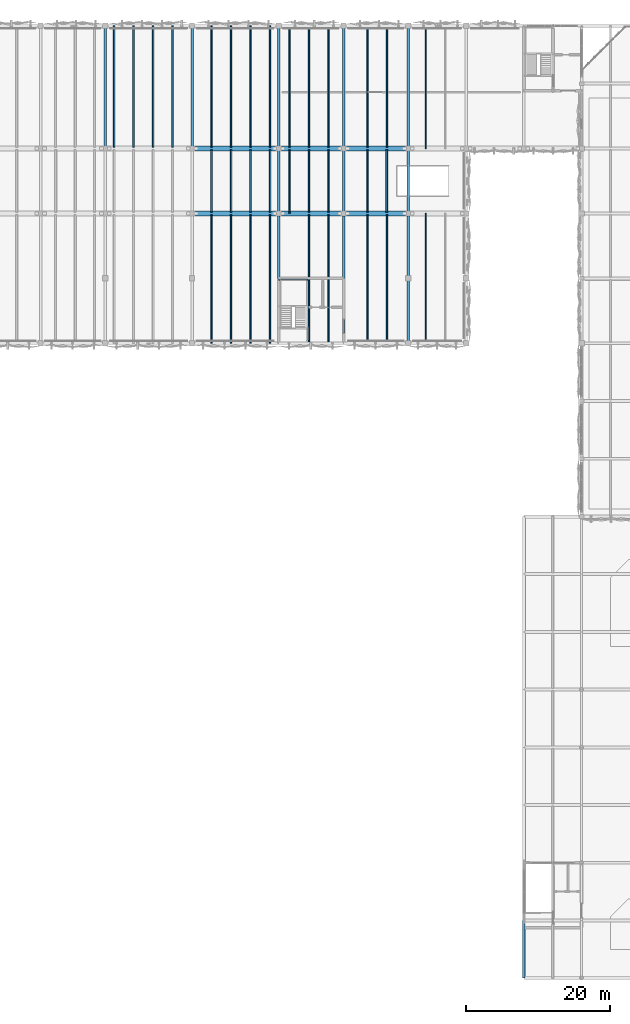
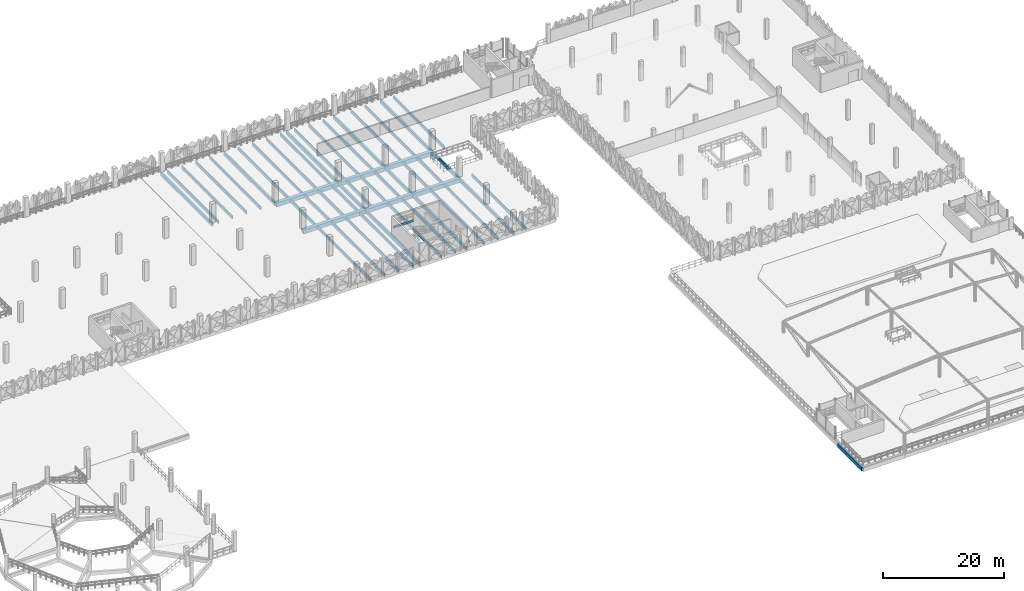
# One storey, part 15 of 76: 51 beams.
"""IFC4 building model written with IfcOpenShell, lengths in metres."""

from ifc_helpers import new_model, si_unit, derived_unit, direction, frame, origin, origin_2d, place, context, subcontext, project, spatial, rectangle, i_section, extrude, material, material_profile, profile_set, type_object, element, save


model = new_model("IFC4")

# Units and contexts
model_context = context("Model", 3, precision=1e-05, world=origin(), true_north=direction((0.0, 1.0)))
body_context = subcontext(model_context, "Body", "Model", "MODEL_VIEW")
ifc_project = project(units=[si_unit("LENGTHUNIT", "METRE"), si_unit("AREAUNIT", "SQUARE_METRE"), si_unit("VOLUMEUNIT", "CUBIC_METRE"), si_unit("PLANEANGLEUNIT", "RADIAN"), si_unit("MASSUNIT", "GRAM", prefix="KILO"), si_unit("THERMODYNAMICTEMPERATUREUNIT", "KELVIN"), derived_unit("THERMALTRANSMITTANCEUNIT", [(si_unit("POWERUNIT", "WATT"), 1), (si_unit("AREAUNIT", "SQUARE_METRE"), -1), (si_unit("THERMODYNAMICTEMPERATUREUNIT", "KELVIN"), -1)])], contexts=[model_context])

# Site, building, storey
site_placement = place(None, origin())
site = spatial("IfcSite", under=ifc_project, at=site_placement, CompositionType="ELEMENT")
building_placement = place(site_placement, origin())
building = spatial("IfcBuilding", under=site, at=building_placement, Name="Haiyu Intermodal Mobility Hub", CompositionType="ELEMENT")
storey_placement = place(building_placement, frame((0.0, 0.0, 17.300048828125)))
storey = spatial("IfcBuildingStorey", under=building, at=storey_placement, Name="L04", CompositionType="ELEMENT", Elevation=17.300048828125)

# Beams
ifc_material_1 = material(Name="Concrete C40", Category="concrete")
ifc_material_profile_1 = material_profile(ifc_material_1, rectangle(XDim=0.35009765625, YDim=0.64990234375, at=origin_2d()), Name="RCB350x650")
ifc_profile_set_1 = profile_set([ifc_material_profile_1], Name="Concrete C40")
beam_type_1 = type_object("IfcBeamType", Name="BM-CB04", PredefinedType="BEAM", material=ifc_profile_set_1)
for number, where, z_axis, x_axis, name in (
    (1, (96.0, 131.0, -0.60009765625), (0.0, 1.0, 0.0), (-1.0, 0.0, 0.0), "BM-V4E-L04-026"),
    (2, (108.0, 131.0, -0.60009765625), (0.0, 1.0, 0.0), (-1.0, 0.0, 0.0), "BM-V4E-L04-029"),
):
    element("IfcBeam", number, at=place(storey_placement, frame(where, z_axis=z_axis, x_axis=x_axis)), inside=storey, type_object=beam_type_1, Name=name, PredefinedType="BEAM", context=body_context, shape_type="SweptSolid", body=[
        extrude(rectangle(XDim=0.35009765625, YDim=0.64990234375, at=origin_2d()), origin(), (0.0, 0.0, 1.0), 17.0),
    ])
beam_1_placement = place(storey_placement, frame((120.0, 104.0, -0.60009765625), z_axis=(0.0, 1.0, 0.0), x_axis=(-1.0, 0.0, 0.0)))
element("IfcBeam", 3, at=beam_1_placement, inside=storey, type_object=beam_type_1, Name="BM-V4E-L04-030", PredefinedType="BEAM", context=body_context, shape_type="SweptSolid", body=[
    extrude(rectangle(XDim=0.35009765625, YDim=0.64990234375, at=origin_2d()), origin(), (0.0, 0.0, 1.0), 18.0),
])
beam_2_placement = place(storey_placement, frame((120.0, 122.0, -0.60009765625), z_axis=(0.0, 1.0, 0.0), x_axis=(-1.0, 0.0, 0.0)))
element("IfcBeam", 4, at=beam_2_placement, inside=storey, type_object=beam_type_1, Name="BM-V4E-L04-031", PredefinedType="BEAM", context=body_context, shape_type="SweptSolid", body=[
    extrude(rectangle(XDim=0.35009765625, YDim=0.64990234375, at=origin_2d()), origin(), (0.0, 0.0, 1.0), 9.0),
])
beam_3_placement = place(storey_placement, frame((120.0, 131.0, -0.60009765625), z_axis=(0.0, 1.0, 0.0), x_axis=(-1.0, 0.0, 0.0)))
element("IfcBeam", 5, at=beam_3_placement, inside=storey, type_object=beam_type_1, Name="BM-V4E-L04-032", PredefinedType="BEAM", context=body_context, shape_type="SweptSolid", body=[
    extrude(rectangle(XDim=0.35009765625, YDim=0.64990234375, at=origin_2d()), origin(), (0.0, 0.0, 1.0), 17.0),
])
beam_4_placement = place(storey_placement, frame((129.0, 104.0, -0.60009765625), z_axis=(0.0, 1.0, 0.0), x_axis=(-1.0, 0.0, 0.0)))
element("IfcBeam", 6, at=beam_4_placement, inside=storey, type_object=beam_type_1, Name="BM-V4E-L04-033", PredefinedType="BEAM", context=body_context, shape_type="SweptSolid", body=[
    extrude(rectangle(XDim=0.35009765625, YDim=0.64990234375, at=origin_2d()), origin(), (0.0, 0.0, 1.0), 18.0),
])
beam_5_placement = place(storey_placement, frame((129.0, 122.0, -0.60009765625), z_axis=(0.0, 1.0, 0.0), x_axis=(-1.0, 0.0, 0.0)))
element("IfcBeam", 7, at=beam_5_placement, inside=storey, type_object=beam_type_1, Name="BM-V4E-L04-034", PredefinedType="BEAM", context=body_context, shape_type="SweptSolid", body=[
    extrude(rectangle(XDim=0.35009765625, YDim=0.64990234375, at=origin_2d()), origin(), (0.0, 0.0, 1.0), 9.0),
])
beam_6_placement = place(storey_placement, frame((129.0, 131.0, -0.60009765625), z_axis=(0.0, 1.0, 0.0), x_axis=(-1.0, 0.0, 0.0)))
element("IfcBeam", 8, at=beam_6_placement, inside=storey, type_object=beam_type_1, Name="BM-V4E-L04-035", PredefinedType="BEAM", context=body_context, shape_type="SweptSolid", body=[
    extrude(rectangle(XDim=0.35009765625, YDim=0.64990234375, at=origin_2d()), origin(), (0.0, 0.0, 1.0), 17.0),
])
beam_7_placement = place(storey_placement, frame((138.0, 104.0, -0.60009765625), z_axis=(0.0, 1.0, 0.0), x_axis=(-1.0, 0.0, 0.0)))
element("IfcBeam", 9, at=beam_7_placement, inside=storey, type_object=beam_type_1, Name="BM-V4E-L04-036", PredefinedType="BEAM", context=body_context, shape_type="SweptSolid", body=[
    extrude(rectangle(XDim=0.35009765625, YDim=0.64990234375, at=origin_2d()), origin(), (0.0, 0.0, 1.0), 18.0),
])
beam_8_placement = place(storey_placement, frame((138.0, 122.0, -0.60009765625), z_axis=(0.0, 1.0, 0.0), x_axis=(-1.0, 0.0, 0.0)))
element("IfcBeam", 10, at=beam_8_placement, inside=storey, type_object=beam_type_1, Name="BM-V4E-L04-037", PredefinedType="BEAM", context=body_context, shape_type="SweptSolid", body=[
    extrude(rectangle(XDim=0.35009765625, YDim=0.64990234375, at=origin_2d()), origin(), (0.0, 0.0, 1.0), 9.0),
])
beam_9_placement = place(storey_placement, frame((138.0, 131.0, -0.60009765625), z_axis=(0.0, 1.0, 0.0), x_axis=(-1.0, 0.0, 0.0)))
element("IfcBeam", 11, at=beam_9_placement, inside=storey, type_object=beam_type_1, Name="BM-V4E-L04-038", PredefinedType="BEAM", context=body_context, shape_type="SweptSolid", body=[
    extrude(rectangle(XDim=0.35009765625, YDim=0.64990234375, at=origin_2d()), origin(), (0.0, 0.0, 1.0), 17.0),
])
ifc_material_profile_2 = material_profile(ifc_material_1, rectangle(XDim=0.35009765625, YDim=0.699951171875, at=origin_2d()), Name="RCB350x700")
ifc_profile_set_2 = profile_set([ifc_material_profile_2], Name="Concrete C40")
beam_type_2 = type_object("IfcBeamType", Name="BM-CB06", PredefinedType="BEAM", material=ifc_profile_set_2)
beam_10_placement = place(storey_placement, frame((154.0, 16.0, -0.650146484375), z_axis=(0.0, 1.0, 0.0), x_axis=(-1.0, 0.0, 0.0)))
element("IfcBeam", 12, at=beam_10_placement, inside=storey, type_object=beam_type_2, Name="BM-V5T-L04-001", PredefinedType="BEAM", context=body_context, shape_type="SweptSolid", body=[
    extrude(rectangle(XDim=0.35009765625, YDim=0.699951171875, at=origin_2d()), origin(), (0.0, 0.0, 1.0), 8.0),
])
ifc_material_2 = material(Name="Precast concrete C50", Category="concrete")
ifc_material_profile_3 = material_profile(ifc_material_2, rectangle(XDim=0.199951171875, YDim=0.659912109375, at=origin_2d()), Name="PC200x660")
ifc_profile_set_3 = profile_set([ifc_material_profile_3], Name="Precast concrete C50")
beam_type_3 = type_object("IfcBeamType", Name="BM-DT03", PredefinedType="JOIST", material=ifc_profile_set_3)
for number, where, z_axis, x_axis, name in (
    (13, (97.199951171875, 131.195068359375, -0.60498046875), (0.0, 1.0, 0.0), (-1.0, 0.0, 0.0), "BM-DT-L04-046"),
    (14, (99.89990234375, 131.195068359375, -0.60498046875), (0.0, 1.0, 0.0), (-1.0, 0.0, 0.0), "BM-DT-L04-049"),
    (15, (102.60009765625, 131.195068359375, -0.60498046875), (0.0, 1.0, 0.0), (-1.0, 0.0, 0.0), "BM-DT-L04-052"),
    (16, (105.300048828125, 131.195068359375, -0.60498046875), (0.0, 1.0, 0.0), (-1.0, 0.0, 0.0), "BM-DT-L04-055"),
):
    element("IfcBeam", number, at=place(storey_placement, frame(where, z_axis=z_axis, x_axis=x_axis)), inside=storey, type_object=beam_type_3, Name=name, PredefinedType="JOIST", context=body_context, shape_type="SweptSolid", body=[
        extrude(rectangle(XDim=0.199951171875, YDim=0.659912109375, at=origin_2d()), origin(), (0.0, 0.0, 1.0), 16.804931640625),
    ])
beam_11_placement = place(storey_placement, frame((110.699951171875, 104.0, -0.60498046875), z_axis=(0.0, 1.0, 0.0), x_axis=(-1.0, 0.0, 0.0)))
element("IfcBeam", 17, at=beam_11_placement, inside=storey, type_object=beam_type_3, Name="BM-DT-L04-056", PredefinedType="JOIST", context=body_context, shape_type="SweptSolid", body=[
    extrude(rectangle(XDim=0.199951171875, YDim=0.659912109375, at=origin_2d()), origin(), (0.0, 0.0, 1.0), 17.804931640625),
])
beam_12_placement = place(storey_placement, frame((110.699951171875, 131.195068359375, -0.60498046875), z_axis=(0.0, 1.0, 0.0), x_axis=(-1.0, 0.0, 0.0)))
element("IfcBeam", 18, at=beam_12_placement, inside=storey, type_object=beam_type_3, Name="BM-DT-L04-058", PredefinedType="JOIST", context=body_context, shape_type="SweptSolid", body=[
    extrude(rectangle(XDim=0.199951171875, YDim=0.659912109375, at=origin_2d()), origin(), (0.0, 0.0, 1.0), 16.804931640625),
])
beam_13_placement = place(storey_placement, frame((113.39990234375, 104.0, -0.60498046875), z_axis=(0.0, 1.0, 0.0), x_axis=(-1.0, 0.0, 0.0)))
element("IfcBeam", 19, at=beam_13_placement, inside=storey, type_object=beam_type_3, Name="BM-DT-L04-059", PredefinedType="JOIST", context=body_context, shape_type="SweptSolid", body=[
    extrude(rectangle(XDim=0.199951171875, YDim=0.659912109375, at=origin_2d()), origin(), (0.0, 0.0, 1.0), 17.804931640625),
])
beam_14_placement = place(storey_placement, frame((113.39990234375, 131.195068359375, -0.60498046875), z_axis=(0.0, 1.0, 0.0), x_axis=(-1.0, 0.0, 0.0)))
element("IfcBeam", 20, at=beam_14_placement, inside=storey, type_object=beam_type_3, Name="BM-DT-L04-061", PredefinedType="JOIST", context=body_context, shape_type="SweptSolid", body=[
    extrude(rectangle(XDim=0.199951171875, YDim=0.659912109375, at=origin_2d()), origin(), (0.0, 0.0, 1.0), 16.804931640625),
])
beam_15_placement = place(storey_placement, frame((116.10009765625, 104.0, -0.60498046875), z_axis=(0.0, 1.0, 0.0), x_axis=(-1.0, 0.0, 0.0)))
element("IfcBeam", 21, at=beam_15_placement, inside=storey, type_object=beam_type_3, Name="BM-DT-L04-062", PredefinedType="JOIST", context=body_context, shape_type="SweptSolid", body=[
    extrude(rectangle(XDim=0.199951171875, YDim=0.659912109375, at=origin_2d()), origin(), (0.0, 0.0, 1.0), 17.804931640625),
])
beam_16_placement = place(storey_placement, frame((116.10009765625, 131.195068359375, -0.60498046875), z_axis=(0.0, 1.0, 0.0), x_axis=(-1.0, 0.0, 0.0)))
element("IfcBeam", 22, at=beam_16_placement, inside=storey, type_object=beam_type_3, Name="BM-DT-L04-064", PredefinedType="JOIST", context=body_context, shape_type="SweptSolid", body=[
    extrude(rectangle(XDim=0.199951171875, YDim=0.659912109375, at=origin_2d()), origin(), (0.0, 0.0, 1.0), 16.804931640625),
])
beam_17_placement = place(storey_placement, frame((118.800048828125, 104.0, -0.60498046875), z_axis=(0.0, 1.0, 0.0), x_axis=(-1.0, 0.0, 0.0)))
element("IfcBeam", 23, at=beam_17_placement, inside=storey, type_object=beam_type_3, Name="BM-DT-L04-065", PredefinedType="JOIST", context=body_context, shape_type="SweptSolid", body=[
    extrude(rectangle(XDim=0.199951171875, YDim=0.659912109375, at=origin_2d()), origin(), (0.0, 0.0, 1.0), 17.804931640625),
])
for number, where, z_axis, x_axis, name in (
    (24, (118.800048828125, 131.195068359375, -0.60498046875), (0.0, 1.0, 0.0), (-1.0, 0.0, 0.0), "BM-DT-L04-067"),
    (25, (121.5, 131.195068359375, -0.60498046875), (0.0, 1.0, 0.0), (-1.0, 0.0, 0.0), "BM-DT-L04-070"),
):
    element("IfcBeam", number, at=place(storey_placement, frame(where, z_axis=z_axis, x_axis=x_axis)), inside=storey, type_object=beam_type_3, Name=name, PredefinedType="JOIST", context=body_context, shape_type="SweptSolid", body=[
        extrude(rectangle(XDim=0.199951171875, YDim=0.659912109375, at=origin_2d()), origin(), (0.0, 0.0, 1.0), 16.804931640625),
    ])
beam_18_placement = place(storey_placement, frame((124.199951171875, 104.0, -0.60498046875), z_axis=(0.0, 1.0, 0.0), x_axis=(-1.0, 0.0, 0.0)))
element("IfcBeam", 26, at=beam_18_placement, inside=storey, type_object=beam_type_3, Name="BM-DT-L04-071", PredefinedType="JOIST", context=body_context, shape_type="SweptSolid", body=[
    extrude(rectangle(XDim=0.199951171875, YDim=0.659912109375, at=origin_2d()), origin(), (0.0, 0.0, 1.0), 17.804931640625),
])
beam_19_placement = place(storey_placement, frame((124.199951171875, 131.195068359375, -0.60498046875), z_axis=(0.0, 1.0, 0.0), x_axis=(-1.0, 0.0, 0.0)))
element("IfcBeam", 27, at=beam_19_placement, inside=storey, type_object=beam_type_3, Name="BM-DT-L04-073", PredefinedType="JOIST", context=body_context, shape_type="SweptSolid", body=[
    extrude(rectangle(XDim=0.199951171875, YDim=0.659912109375, at=origin_2d()), origin(), (0.0, 0.0, 1.0), 16.804931640625),
])
beam_20_placement = place(storey_placement, frame((126.89990234375, 104.0, -0.60498046875), z_axis=(0.0, 1.0, 0.0), x_axis=(-1.0, 0.0, 0.0)))
element("IfcBeam", 28, at=beam_20_placement, inside=storey, type_object=beam_type_3, Name="BM-DT-L04-074", PredefinedType="JOIST", context=body_context, shape_type="SweptSolid", body=[
    extrude(rectangle(XDim=0.199951171875, YDim=0.659912109375, at=origin_2d()), origin(), (0.0, 0.0, 1.0), 17.804931640625),
])
beam_21_placement = place(storey_placement, frame((126.89990234375, 131.195068359375, -0.60498046875), z_axis=(0.0, 1.0, 0.0), x_axis=(-1.0, 0.0, 0.0)))
element("IfcBeam", 29, at=beam_21_placement, inside=storey, type_object=beam_type_3, Name="BM-DT-L04-076", PredefinedType="JOIST", context=body_context, shape_type="SweptSolid", body=[
    extrude(rectangle(XDim=0.199951171875, YDim=0.659912109375, at=origin_2d()), origin(), (0.0, 0.0, 1.0), 16.804931640625),
])
beam_22_placement = place(storey_placement, frame((132.300048828125, 104.0, -0.60498046875), z_axis=(0.0, 1.0, 0.0), x_axis=(-1.0, 0.0, 0.0)))
element("IfcBeam", 30, at=beam_22_placement, inside=storey, type_object=beam_type_3, Name="BM-DT-L04-077", PredefinedType="JOIST", context=body_context, shape_type="SweptSolid", body=[
    extrude(rectangle(XDim=0.199951171875, YDim=0.659912109375, at=origin_2d()), origin(), (0.0, 0.0, 1.0), 17.804931640625),
])
beam_23_placement = place(storey_placement, frame((132.300048828125, 131.195068359375, -0.60498046875), z_axis=(0.0, 1.0, 0.0), x_axis=(-1.0, 0.0, 0.0)))
element("IfcBeam", 31, at=beam_23_placement, inside=storey, type_object=beam_type_3, Name="BM-DT-L04-079", PredefinedType="JOIST", context=body_context, shape_type="SweptSolid", body=[
    extrude(rectangle(XDim=0.199951171875, YDim=0.659912109375, at=origin_2d()), origin(), (0.0, 0.0, 1.0), 16.804931640625),
])
beam_24_placement = place(storey_placement, frame((135.0, 104.0, -0.60498046875), z_axis=(0.0, 1.0, 0.0), x_axis=(-1.0, 0.0, 0.0)))
element("IfcBeam", 32, at=beam_24_placement, inside=storey, type_object=beam_type_3, Name="BM-DT-L04-080", PredefinedType="JOIST", context=body_context, shape_type="SweptSolid", body=[
    extrude(rectangle(XDim=0.199951171875, YDim=0.659912109375, at=origin_2d()), origin(), (0.0, 0.0, 1.0), 17.804931640625),
])
beam_25_placement = place(storey_placement, frame((135.0, 131.195068359375, -0.60498046875), z_axis=(0.0, 1.0, 0.0), x_axis=(-1.0, 0.0, 0.0)))
element("IfcBeam", 33, at=beam_25_placement, inside=storey, type_object=beam_type_3, Name="BM-DT-L04-082", PredefinedType="JOIST", context=body_context, shape_type="SweptSolid", body=[
    extrude(rectangle(XDim=0.199951171875, YDim=0.659912109375, at=origin_2d()), origin(), (0.0, 0.0, 1.0), 16.804931640625),
])
beam_26_placement = place(storey_placement, frame((140.39990234375, 104.0, -0.60498046875), z_axis=(0.0, 1.0, 0.0), x_axis=(-1.0, 0.0, 0.0)))
element("IfcBeam", 34, at=beam_26_placement, inside=storey, type_object=beam_type_3, Name="BM-DT-L04-083", PredefinedType="JOIST", context=body_context, shape_type="SweptSolid", body=[
    extrude(rectangle(XDim=0.199951171875, YDim=0.659912109375, at=origin_2d()), origin(), (0.0, 0.0, 1.0), 18.0),
])
beam_27_placement = place(storey_placement, frame((140.39990234375, 131.0, -0.60498046875), z_axis=(0.0, 1.0, 0.0), x_axis=(-1.0, 0.0, 0.0)))
element("IfcBeam", 35, at=beam_27_placement, inside=storey, type_object=beam_type_3, Name="BM-DT-L04-084", PredefinedType="JOIST", context=body_context, shape_type="SweptSolid", body=[
    extrude(rectangle(XDim=0.199951171875, YDim=0.659912109375, at=origin_2d()), origin(), (0.0, 0.0, 1.0), 17.0),
])
ifc_material_profile_4 = material_profile(ifc_material_2, rectangle(XDim=0.22998046875, YDim=0.68994140625, at=origin_2d()), Name="B230x690")
ifc_profile_set_4 = profile_set([ifc_material_profile_4], Name="Precast concrete C50")
beam_type_4 = type_object("IfcBeamType", Name="BM-DT06", PredefinedType="JOIST", material=ifc_profile_set_4)
for number, where, z_axis, x_axis, name in (
    (36, (110.699951171875, 122.195068359375, -0.6201171875), (0.0, 1.0, 0.0), (-1.0, 0.0, 0.0), "BM-DT-L04-057"),
    (37, (113.39990234375, 122.195068359375, -0.6201171875), (0.0, 1.0, 0.0), (-1.0, 0.0, 0.0), "BM-DT-L04-060"),
    (38, (116.10009765625, 122.195068359375, -0.6201171875), (0.0, 1.0, 0.0), (-1.0, 0.0, 0.0), "BM-DT-L04-063"),
    (39, (118.800048828125, 122.195068359375, -0.6201171875), (0.0, 1.0, 0.0), (-1.0, 0.0, 0.0), "BM-DT-L04-066"),
):
    element("IfcBeam", number, at=place(storey_placement, frame(where, z_axis=z_axis, x_axis=x_axis)), inside=storey, type_object=beam_type_4, Name=name, PredefinedType="JOIST", context=body_context, shape_type="SweptSolid", body=[
        extrude(rectangle(XDim=0.22998046875, YDim=0.68994140625, at=origin_2d()), origin(), (0.0, 0.0, 1.0), 8.60986328125),
    ])
beam_28_placement = place(storey_placement, frame((121.5, 122.0, -0.6201171875), z_axis=(0.0, 1.0, 0.0), x_axis=(-1.0, 0.0, 0.0)))
element("IfcBeam", 40, at=beam_28_placement, inside=storey, type_object=beam_type_4, Name="BM-DT-L04-069", PredefinedType="JOIST", context=body_context, shape_type="SweptSolid", body=[
    extrude(rectangle(XDim=0.22998046875, YDim=0.68994140625, at=origin_2d()), origin(), (0.0, 0.0, 1.0), 8.804931640625),
])
for number, where, z_axis, x_axis, name in (
    (41, (124.199951171875, 122.195068359375, -0.6201171875), (0.0, 1.0, 0.0), (-1.0, 0.0, 0.0), "BM-DT-L04-072"),
    (42, (126.89990234375, 122.195068359375, -0.6201171875), (0.0, 1.0, 0.0), (-1.0, 0.0, 0.0), "BM-DT-L04-075"),
    (43, (132.300048828125, 122.195068359375, -0.6201171875), (0.0, 1.0, 0.0), (-1.0, 0.0, 0.0), "BM-DT-L04-078"),
    (44, (135.0, 122.195068359375, -0.6201171875), (0.0, 1.0, 0.0), (-1.0, 0.0, 0.0), "BM-DT-L04-081"),
):
    element("IfcBeam", number, at=place(storey_placement, frame(where, z_axis=z_axis, x_axis=x_axis)), inside=storey, type_object=beam_type_4, Name=name, PredefinedType="JOIST", context=body_context, shape_type="SweptSolid", body=[
        extrude(rectangle(XDim=0.22998046875, YDim=0.68994140625, at=origin_2d()), origin(), (0.0, 0.0, 1.0), 8.60986328125),
    ])
ifc_material_profile_5 = material_profile(ifc_material_2, rectangle(XDim=0.679931640625, YDim=0.820068359375, at=origin_2d()), Name="B680x820")
ifc_profile_set_5 = profile_set([ifc_material_profile_5], Name="Precast concrete C50")
beam_type_5 = type_object("IfcBeamType", Name="BM-IT05", PredefinedType="T_BEAM", material=ifc_profile_set_5)
beam_29_placement = place(storey_placement, frame((108.0, 122.0, -0.68505859375), z_axis=(1.0, 0.0, 0.0), x_axis=(0.0, 1.0, 0.0)))
element("IfcBeam", 45, at=beam_29_placement, inside=storey, type_object=beam_type_5, Name="BM-V4G-L04-021", PredefinedType="T_BEAM", context=body_context, shape_type="SweptSolid", body=[
    extrude(rectangle(XDim=0.679931640625, YDim=0.820068359375, at=origin_2d()), origin(), (0.0, 0.0, 1.0), 12.0),
])
for number, where, z_axis, x_axis, name in (
    (46, (120.0, 122.0, -0.68505859375), (1.0, 0.0, 0.0), (0.0, 1.0, 0.0), "BM-V4G-L04-022"),
    (47, (129.0, 122.0, -0.68505859375), (1.0, 0.0, 0.0), (0.0, 1.0, 0.0), "BM-V4G-L04-023"),
):
    element("IfcBeam", number, at=place(storey_placement, frame(where, z_axis=z_axis, x_axis=x_axis)), inside=storey, type_object=beam_type_5, Name=name, PredefinedType="T_BEAM", context=body_context, shape_type="SweptSolid", body=[
        extrude(rectangle(XDim=0.679931640625, YDim=0.820068359375, at=origin_2d()), origin(), (0.0, 0.0, 1.0), 9.0),
    ])
beam_30_placement = place(storey_placement, frame((108.0, 131.0, -0.68505859375), z_axis=(1.0, 0.0, 0.0), x_axis=(0.0, 1.0, 0.0)))
element("IfcBeam", 48, at=beam_30_placement, inside=storey, type_object=beam_type_5, Name="BM-V4G-L04-035", PredefinedType="T_BEAM", context=body_context, shape_type="SweptSolid", body=[
    extrude(rectangle(XDim=0.679931640625, YDim=0.820068359375, at=origin_2d()), origin(), (0.0, 0.0, 1.0), 12.0),
])
for number, where, z_axis, x_axis, name in (
    (49, (120.0, 131.0, -0.68505859375), (1.0, 0.0, 0.0), (0.0, 1.0, 0.0), "BM-V4G-L04-036"),
    (50, (129.0, 131.0, -0.68505859375), (1.0, 0.0, 0.0), (0.0, 1.0, 0.0), "BM-V4G-L04-037"),
):
    element("IfcBeam", number, at=place(storey_placement, frame(where, z_axis=z_axis, x_axis=x_axis)), inside=storey, type_object=beam_type_5, Name=name, PredefinedType="T_BEAM", context=body_context, shape_type="SweptSolid", body=[
        extrude(rectangle(XDim=0.679931640625, YDim=0.820068359375, at=origin_2d()), origin(), (0.0, 0.0, 1.0), 9.0),
    ])
ifc_material_3 = material(Name="Steel Q355C", Category="steel")
ifc_material_profile_6 = material_profile(ifc_material_3, i_section(OverallWidth=0.199951171875, OverallDepth=0.39990234375, WebThickness=0.008056640625, FlangeThickness=0.012939453125, FilletRadius=0.01611328125, at=origin_2d()), Name="HN400x200x8x13")
ifc_profile_set_6 = profile_set([ifc_material_profile_6], Name="Steel Q355C")
beam_type_6 = type_object("IfcBeamType", Name="BM-SB08", PredefinedType="JOIST", material=ifc_profile_set_6)
beam_31_placement = place(storey_placement, frame((120.0, 112.780029296875, 1.52490234375), z_axis=(1.0, 0.0, 0.0), x_axis=(0.0, 1.0, 0.0)))
element("IfcBeam", 51, at=beam_31_placement, inside=storey, type_object=beam_type_6, Name="Stair Half-Landing Rear Beam C6-L04", PredefinedType="JOIST", context=body_context, shape_type="SweptSolid", body=[
    extrude(i_section(OverallWidth=0.199951171875, OverallDepth=0.39990234375, WebThickness=0.008056640625, FlangeThickness=0.012939453125, FilletRadius=0.01611328125, at=origin_2d()), origin(), (0.0, 0.0, 1.0), 4.050048828125),
])

save(model, "model.ifc")
